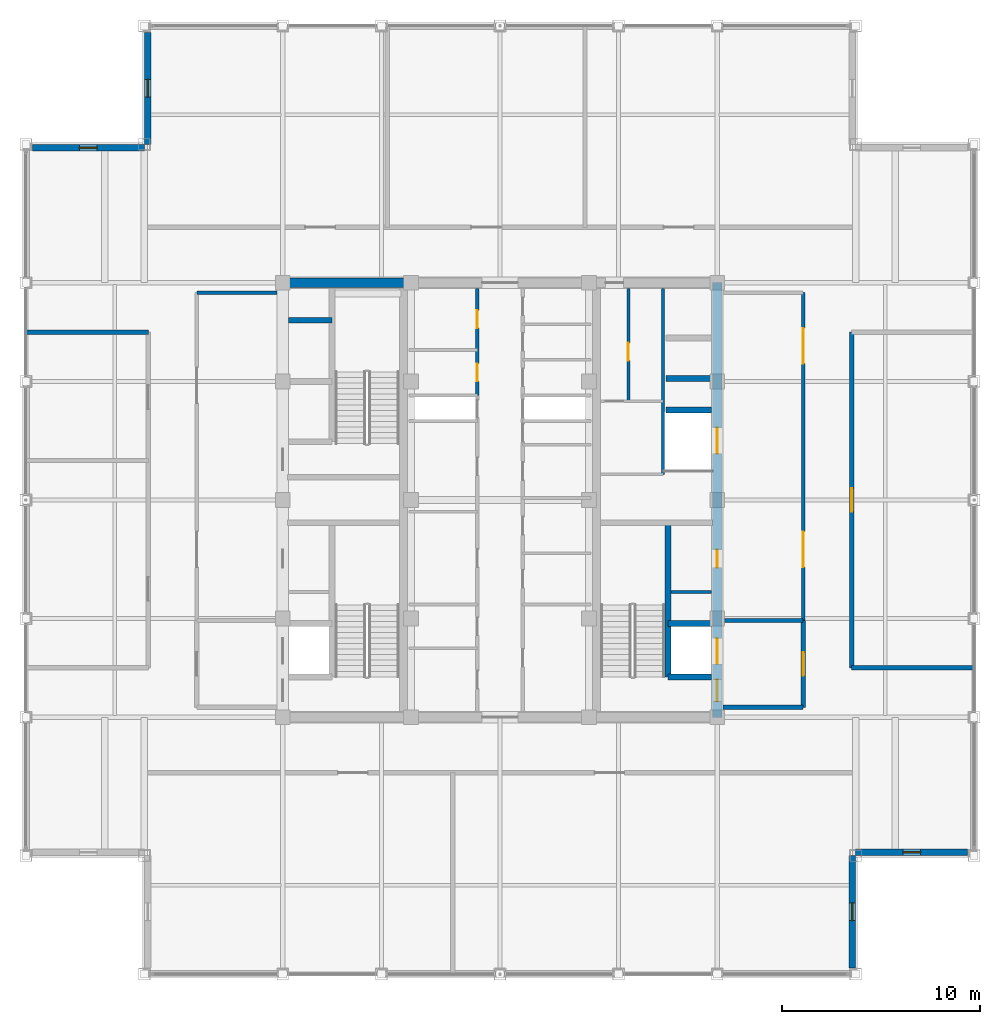
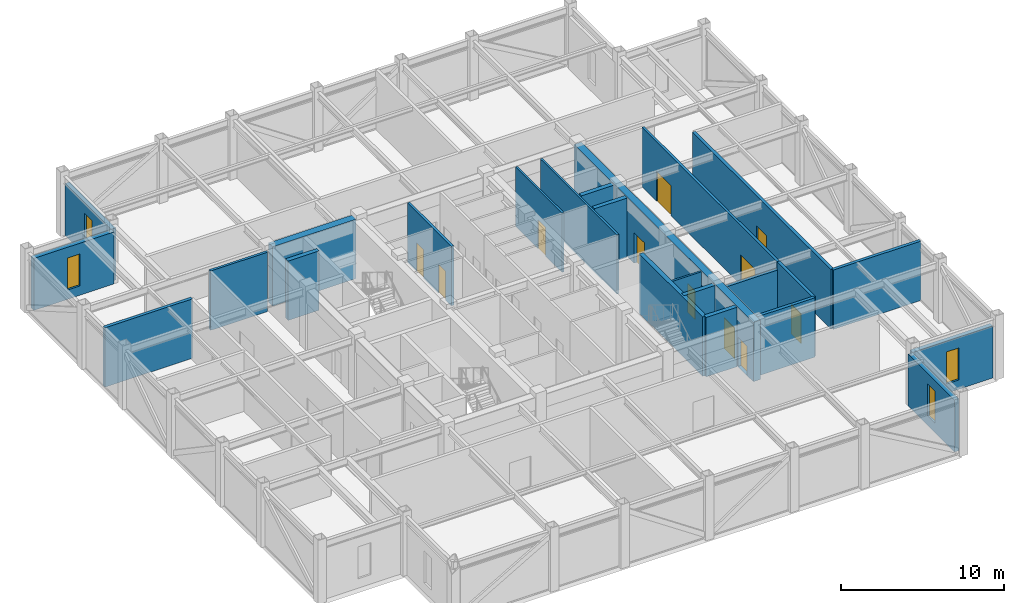
# One storey, part 25 of 27: 24 walls, 11 doors, 4 windows, 15 openings.
"""IFC4 building model written with IfcOpenShell, lengths in metres."""

import ifcopenshell
import ifcopenshell.guid

model = None  # the IFC model being written
_history = None  # IfcOwnerHistory: only IFC2X3 demands one
_inside = {}  # id of a spatial element -> (the spatial element, [elements in it])
_under = {}  # id of a project, library or spatial element -> (it, [spatial elements below it])
_declared = {}  # id of a project -> (the project, [libraries it declares])
_typed = {}  # id of a type object -> (the type object, [elements of that type])
_made_of = {}  # id of a material, layer set ... -> (it, [elements and type objects made of it])


def new_model(schema):
    """Start an empty IFC model of exactly this schema.

    Asked for "IFC4X3", IfcOpenShell would pick the latest addendum, in which some entities
    have other attributes; the version numbers below select the first issue.
    IFC2X3 requires an IfcOwnerHistory on every rooted entity: one is made here for all.
    """
    global model, _history
    if schema == "IFC4X3":
        model = ifcopenshell.file(schema_version=(4, 3, 0, 0))
    else:
        model = ifcopenshell.file(schema=schema)
    _inside.clear()
    _under.clear()
    _declared.clear()
    _typed.clear()
    _made_of.clear()
    _history = None
    if model.schema == "IFC2X3":
        org = make("IfcOrganization", Name="unknown")
        user = make(
            "IfcPersonAndOrganization",
            ThePerson=make("IfcPerson", FamilyName="unknown"),
            TheOrganization=org,
        )
        app = make(
            "IfcApplication",
            ApplicationDeveloper=org,
            Version="unknown",
            ApplicationFullName="unknown",
            ApplicationIdentifier="unknown",
        )
        _history = make(
            "IfcOwnerHistory",
            OwningUser=user,
            OwningApplication=app,
            ChangeAction="ADDED",
            CreationDate=0,
        )
    return model


def make(cls, **values):
    """One entity of the class cls with the attributes given. An attribute that is None is left unset."""
    return model.create_entity(
        cls, **{name: value for name, value in values.items() if value is not None}
    )


def rooted(cls, **values):
    """An entity with a GlobalId (a new one), such as an element, a storey or a relation."""
    return make(cls, GlobalId=ifcopenshell.guid.new(), OwnerHistory=_history, **values)


def si_unit(unit_type, name, prefix=None):
    """IfcSIUnit, for example si_unit("LENGTHUNIT", "METRE", prefix="MILLI")."""
    return make("IfcSIUnit", UnitType=unit_type, Prefix=prefix, Name=name)


def assignment(units):
    """IfcUnitAssignment: the units of a project."""
    return None if units is None else make("IfcUnitAssignment", Units=units)


def point(xyz):
    """IfcCartesianPoint."""
    return None if xyz is None else make("IfcCartesianPoint", Coordinates=xyz)


def direction(xyz):
    """IfcDirection."""
    return None if xyz is None else make("IfcDirection", DirectionRatios=xyz)


def frame(location, z_axis=None, x_axis=None):
    """IfcAxis2Placement3D, a coordinate frame: its origin and axes. An axis left out is left unset."""
    return make(
        "IfcAxis2Placement3D",
        Location=point(location),
        Axis=direction(z_axis),
        RefDirection=direction(x_axis),
    )


def frame_2d(location, x_axis=None):
    """IfcAxis2Placement2D, a coordinate frame in the plane: its origin and x axis."""
    return make(
        "IfcAxis2Placement2D", Location=point(location), RefDirection=direction(x_axis)
    )


def origin():
    """The frame at (0, 0, 0) with its axes left unset."""
    return frame((0.0, 0.0, 0.0))


def place(relative_to, where):
    """IfcLocalPlacement: puts the frame where relative to a parent placement (None: the world)."""
    return make(
        "IfcLocalPlacement", PlacementRelTo=relative_to, RelativePlacement=where
    )


def context(
    kind, dimensions, precision=None, world=None, true_north=None, identifier=None
):
    """IfcGeometricRepresentationContext, for example the 3D "Model" context."""
    return make(
        "IfcGeometricRepresentationContext",
        ContextIdentifier=identifier,
        ContextType=kind,
        CoordinateSpaceDimension=dimensions,
        Precision=precision,
        WorldCoordinateSystem=world,
        TrueNorth=true_north,
    )


def subcontext(parent, identifier, kind, view, scale=None):
    """IfcGeometricRepresentationSubContext, for example "Body" below "Model"."""
    return make(
        "IfcGeometricRepresentationSubContext",
        ContextIdentifier=identifier,
        ContextType=kind,
        ParentContext=parent,
        TargetScale=scale,
        TargetView=view,
    )


def project(units=None, contexts=None):
    """IfcProject with its units and contexts."""
    return rooted(
        "IfcProject",
        Name="project",
        RepresentationContexts=contexts,
        UnitsInContext=assignment(units),
    )


def spatial(cls, under=None, at=None, **own):
    """A site, building, storey or space (cls), placed at a placement, below another one or the project."""
    s = rooted(cls, ObjectPlacement=at, **own)
    if under is not None:
        _under.setdefault(under.id(), (under, []))[1].append(s)
    return s


def profile(cls, at=None, kind="AREA", **sizes):
    """A parametric profile (cls). Its sizes go by their IFC names, for example OverallWidth=200.0."""
    return make(cls, ProfileType=kind, Position=at, **sizes)


def rectangle(**sizes):
    """IfcRectangleProfileDef."""
    return profile("IfcRectangleProfileDef", **sizes)


def extrude(swept, where, along, depth):
    """IfcExtrudedAreaSolid: the profile swept, set in the frame where, extruded along a direction by depth."""
    return make(
        "IfcExtrudedAreaSolid",
        SweptArea=swept,
        Position=where,
        ExtrudedDirection=direction(along),
        Depth=depth,
    )


def shape(context_of_items, identifier, shape_type, items):
    """IfcShapeRepresentation: the items that make up one representation, for example the "Body"."""
    return make(
        "IfcShapeRepresentation",
        ContextOfItems=context_of_items,
        RepresentationIdentifier=identifier,
        RepresentationType=shape_type,
        Items=items,
    )


def source(mapping_origin, context_of_items, identifier, shape_type, items):
    """IfcRepresentationMap: a shape defined once, which mapped items show again and again."""
    return make(
        "IfcRepresentationMap",
        MappingOrigin=mapping_origin,
        MappedRepresentation=shape(context_of_items, identifier, shape_type, items),
    )


def transform(
    local_origin,
    x_axis=None,
    y_axis=None,
    z_axis=None,
    scale=None,
    scale2=None,
    scale3=None,
    uniform=True,
):
    """IfcCartesianTransformationOperator3D, or its non-uniform kind. x_axis, y_axis, z_axis: its Axis1, 2, 3."""
    if uniform:
        return make(
            "IfcCartesianTransformationOperator3D",
            Axis1=direction(x_axis),
            Axis2=direction(y_axis),
            LocalOrigin=point(local_origin),
            Scale=scale,
            Axis3=direction(z_axis),
        )
    return make(
        "IfcCartesianTransformationOperator3DnonUniform",
        Axis1=direction(x_axis),
        Axis2=direction(y_axis),
        LocalOrigin=point(local_origin),
        Scale=scale,
        Axis3=direction(z_axis),
        Scale2=scale2,
        Scale3=scale3,
    )


def mapped(mapping_source, mapping_target):
    """IfcMappedItem: shows the shape of a source again, moved by a transform."""
    return make(
        "IfcMappedItem", MappingSource=mapping_source, MappingTarget=mapping_target
    )


def material(Name=None, Category=None):
    """IfcMaterial."""
    return make("IfcMaterial", Name=Name, Category=Category)


def layer(
    of_material, thickness, ventilated=None, Name=None, Category=None, Priority=None
):
    """IfcMaterialLayer: one layer of a wall or slab, of a material (None: an air gap)."""
    return make(
        "IfcMaterialLayer",
        Material=of_material,
        LayerThickness=thickness,
        IsVentilated=ventilated,
        Name=Name,
        Category=Category,
        Priority=Priority,
    )


def layer_set(layers, Name=None):
    """IfcMaterialLayerSet."""
    return make("IfcMaterialLayerSet", MaterialLayers=layers, LayerSetName=Name)


def made_of(thing, what):
    """Note that an element or type object is made of a material, layer set ...; save() writes the relation."""
    if what is not None:
        _made_of.setdefault(what.id(), (what, []))[1].append(thing)
    return thing


def type_object(cls, material=None, **own):
    """A type object (cls), such as IfcWallType, which elements share."""
    return made_of(rooted(cls, **own), material)


def element(
    cls,
    number,
    at=None,
    inside=None,
    cuts=None,
    type_object=None,
    material=None,
    context=None,
    identifier="Body",
    shape_type=None,
    held_by="IfcProductDefinitionShape",
    body=None,
    shapes=None,
    **own,
):
    """One element of the class cls, such as IfcWall. Its Tag is "e" and its number.

    at: its placement. inside: the storey or other place that contains it. cuts: it is an
    opening in that element (IfcRelVoidsElement). A single representation is given by context,
    identifier, shape_type and body (its items); several are given by shapes. held_by: the class
    of the entity that holds the representations. save() writes the other relations.
    """
    e = rooted(cls, Tag="e%d" % number, ObjectPlacement=at, **own)
    if body is not None:
        shapes = [shape(context, identifier, shape_type, body)]
    if shapes is not None:
        e.Representation = make(held_by, Representations=shapes)
    if inside is not None:
        _inside.setdefault(inside.id(), (inside, []))[1].append(e)
    if cuts is not None:
        rooted(
            "IfcRelVoidsElement", RelatingBuildingElement=cuts, RelatedOpeningElement=e
        )
    if type_object is not None:
        _typed.setdefault(type_object.id(), (type_object, []))[1].append(e)
    return made_of(e, material)


def fill(opening, filler):
    """IfcRelFillsElement: the door or window that sits in an opening."""
    return rooted(
        "IfcRelFillsElement",
        RelatingOpeningElement=opening,
        RelatedBuildingElement=filler,
    )


def aggregate(whole, parts):
    """IfcRelAggregates: a whole, such as a stair, and the parts it consists of."""
    return rooted("IfcRelAggregates", RelatingObject=whole, RelatedObjects=parts)


def save(model, path):
    """Write the relations noted so far, then the file.

    IfcRelAggregates (storeys below a building ...), IfcRelContainedInSpatialStructure (elements
    in a storey), IfcRelDefinesByType, IfcRelAssociatesMaterial and IfcRelDeclares: one each for
    every whole, place, type object, material and project.
    """
    for whole, parts in _under.values():
        aggregate(whole, parts)
    for where, things in _inside.values():
        rooted(
            "IfcRelContainedInSpatialStructure",
            RelatedElements=things,
            RelatingStructure=where,
        )
    for kind, things in _typed.values():
        rooted("IfcRelDefinesByType", RelatedObjects=things, RelatingType=kind)
    for what, things in _made_of.values():
        rooted("IfcRelAssociatesMaterial", RelatedObjects=things, RelatingMaterial=what)
    for by, libraries in _declared.values():
        rooted("IfcRelDeclares", RelatingContext=by, RelatedDefinitions=libraries)
    model.write(path)


model = new_model("IFC4")

# Units and contexts
model_context = context("Model", 3, precision=1e-05, world=origin(), true_north=direction((0.0, 1.0)))
body_context = subcontext(model_context, "Body", "Model", "MODEL_VIEW")
ifc_project = project(units=[si_unit("LENGTHUNIT", "METRE"), si_unit("AREAUNIT", "SQUARE_METRE"), si_unit("VOLUMEUNIT", "CUBIC_METRE"), si_unit("PLANEANGLEUNIT", "RADIAN"), si_unit("MASSUNIT", "GRAM", prefix="KILO")], contexts=[model_context])

# Site, building, storey
site_placement = place(None, origin())
site = spatial("IfcSite", under=ifc_project, at=site_placement, CompositionType="ELEMENT")
building_placement = place(site_placement, origin())
building = spatial("IfcBuilding", under=site, at=building_placement, Name="Khorayat Bourse Tower", CompositionType="ELEMENT")
storey_placement = place(building_placement, frame((0.0, 0.0, 385.10009765625)))
storey = spatial("IfcBuildingStorey", under=building, at=storey_placement, Name="L91", CompositionType="ELEMENT", Elevation=385.10009765625)

# Wall, openings, doors
ifc_material_1 = material(Name="Concrete C52/65", Category="concrete")
ifc_layer_1 = layer(ifc_material_1, 0.5)
ifc_layer_set_1 = layer_set([ifc_layer_1], Name="Concrete C52/65")
wall_type_1 = type_object("IfcWallType", Name="WAL-CORE-500", PredefinedType="SHEAR", material=ifc_layer_set_1)
shared_shape_1 = source(origin(), body_context, "Body", "SweptSolid", [
    extrude(rectangle(XDim=22.0, YDim=0.5, at=frame_2d((11.0, 0.0))), origin(), (0.0, 0.0, 1.0), 4.449951171875),
])
wall_1_placement = place(storey_placement, frame((11.0, -11.0, 0.0), z_axis=(0.0, 0.0, 1.0), x_axis=(0.0, 1.0, 0.0)))
wall_1 = element("IfcWall", 1, at=wall_1_placement, inside=storey, type_object=wall_type_1, Name="L91 Core Shear Wall CORE-E", PredefinedType="SHEAR", context=body_context, shape_type="MappedRepresentation", body=[
    mapped(shared_shape_1, transform((0.0, 0.0, 0.0), scale=1.0)),
])
shared_shape_2 = source(origin(), body_context, "Body", "SweptSolid", [
    extrude(rectangle(XDim=1.10009765625, YDim=2.199951171875, at=frame_2d((0.550048828125, 1.10009765625))), frame((0.0, 0.260009765625, 0.0), z_axis=(0.0, -1.0, 0.0), x_axis=(1.0, 0.0, 0.0)), (0.0, 0.0, 1.0), 0.52001953125),
])
opening_1_placement = place(wall_1_placement, frame((0.800048828125, 0.0, 0.0)))
opening_1 = element("IfcOpeningElement", 2, at=opening_1_placement, cuts=wall_1, Name="Opening DI-01", PredefinedType="OPENING", context=body_context, shape_type="MappedRepresentation", body=[
    mapped(shared_shape_2, transform((0.0, 0.0, 0.0), scale=1.0)),
])
shared_shape_3 = source(origin(), body_context, "Body", "SweptSolid", [
    extrude(rectangle(XDim=0.89990234375, YDim=2.14990234375, at=frame_2d((0.449951171875, 1.074951171875))), frame((0.0, 0.260009765625, 0.0), z_axis=(0.0, -1.0, 0.0), x_axis=(1.0, 0.0, 0.0)), (0.0, 0.0, 1.0), 0.52001953125),
])
opening_2_placement = place(wall_1_placement, frame((7.574951171875, 0.0, 0.0)))
opening_2 = element("IfcOpeningElement", 3, at=opening_2_placement, cuts=wall_1, Name="Opening DI-06", PredefinedType="OPENING", context=body_context, shape_type="MappedRepresentation", body=[
    mapped(shared_shape_3, transform((0.0, 0.0, 0.0), scale=1.0)),
])
shared_shape_4 = source(origin(), body_context, "Body", "SweptSolid", [
    extrude(rectangle(XDim=1.300048828125, YDim=2.300048828125, at=frame_2d((0.64990234375, 1.14990234375))), frame((0.0, 0.260009765625, 0.0), z_axis=(0.0, -1.0, 0.0), x_axis=(1.0, 0.0, 0.0)), (0.0, 0.0, 1.0), 0.52001953125),
])
opening_3_placement = place(wall_1_placement, frame((2.699951171875, 0.0, 0.0)))
opening_3 = element("IfcOpeningElement", 4, at=opening_3_placement, cuts=wall_1, Name="Opening LD-02", PredefinedType="OPENING", context=body_context, shape_type="MappedRepresentation", body=[
    mapped(shared_shape_4, transform((0.0, 0.0, 0.0), scale=1.0)),
])
opening_4_placement = place(wall_1_placement, frame((13.35009765625, 0.0, 0.0)))
opening_4 = element("IfcOpeningElement", 5, at=opening_4_placement, cuts=wall_1, Name="Opening LD-02", PredefinedType="OPENING", context=body_context, shape_type="MappedRepresentation", body=[
    mapped(shared_shape_4, transform((0.0, 0.0, 0.0), scale=1.0)),
])
ifc_material_2 = material(Name="Fire-rated steel acoustic leaf", Category="steel")
door_type_1 = type_object("IfcDoorType", Name="DR-INT-STAIR-1100", OperationType="NOTDEFINED", PredefinedType="DOOR", material=ifc_material_2)
shared_shape_5 = source(origin(), body_context, "Body", "SweptSolid", [
    extrude(rectangle(XDim=1.10009765625, YDim=2.199951171875, at=frame_2d((0.550048828125, 1.10009765625))), frame((0.0, 0.02490234375, 0.0), z_axis=(0.0, -1.0, 0.0), x_axis=(1.0, 0.0, 0.0)), (0.0, 0.0, 1.0), 0.050048828125),
])
door_1_placement = place(opening_1_placement, origin())
door_1 = element("IfcDoor", 6, at=door_1_placement, inside=storey, type_object=door_type_1, Name="L91 Exit Stair 3 Door", OperationType="SINGLE_SWING_LEFT", OverallHeight=2.199951171875, OverallWidth=1.10009765625, PredefinedType="DOOR", context=body_context, shape_type="MappedRepresentation", body=[
    mapped(shared_shape_5, transform((0.0, 0.0, 0.0), scale=1.0)),
])
fill(opening_1, door_1)
ifc_material_3 = material(Name="Moisture-resistant laminate washroom door")
door_type_2 = type_object("IfcDoorType", Name="DR-INT-WC-900", OperationType="NOTDEFINED", PredefinedType="DOOR", material=ifc_material_3)
shared_shape_6 = source(origin(), body_context, "Body", "SweptSolid", [
    extrude(rectangle(XDim=0.89990234375, YDim=2.14990234375, at=frame_2d((0.449951171875, 1.074951171875))), frame((0.0, 0.02490234375, 0.0), z_axis=(0.0, -1.0, 0.0), x_axis=(1.0, 0.0, 0.0)), (0.0, 0.0, 1.0), 0.050048828125),
])
door_2_placement = place(opening_2_placement, origin())
door_2 = element("IfcDoor", 7, at=door_2_placement, inside=storey, type_object=door_type_2, Name="L91 Fiber Server Plant Room Door", OperationType="SINGLE_SWING_LEFT", OverallHeight=2.14990234375, OverallWidth=0.89990234375, PredefinedType="DOOR", context=body_context, shape_type="MappedRepresentation", body=[
    mapped(shared_shape_6, transform((0.0, 0.0, 0.0), scale=1.0)),
])
fill(opening_2, door_2)
ifc_material_4 = material(Name="Fire-rated stainless-steel sliding landing door", Category="steel")
door_type_3 = type_object("IfcDoorType", Name="DR-LIFT-FF-1300", OperationType="NOTDEFINED", PredefinedType="DOOR", material=ifc_material_4)
shared_shape_7 = source(origin(), body_context, "Body", "SweptSolid", [
    extrude(rectangle(XDim=1.300048828125, YDim=2.300048828125, at=frame_2d((0.64990234375, 1.14990234375))), frame((0.0, 0.02490234375, 0.0), z_axis=(0.0, -1.0, 0.0), x_axis=(1.0, 0.0, 0.0)), (0.0, 0.0, 1.0), 0.050048828125),
])
door_3_placement = place(opening_3_placement, origin())
door_3 = element("IfcDoor", 8, at=door_3_placement, inside=storey, type_object=door_type_3, Name="L91 Lift FFL-02 Sliding Landing Door", OperationType="SLIDING_TO_LEFT", OverallHeight=2.300048828125, OverallWidth=1.300048828125, PredefinedType="DOOR", context=body_context, shape_type="MappedRepresentation", body=[
    mapped(shared_shape_7, transform((0.0, 0.0, 0.0), scale=1.0)),
])
fill(opening_3, door_3)
door_4_placement = place(opening_4_placement, origin())
door_4 = element("IfcDoor", 9, at=door_4_placement, inside=storey, type_object=door_type_3, Name="L91 Lift SVL-01 Sliding Landing Door", OperationType="SLIDING_TO_LEFT", OverallHeight=2.300048828125, OverallWidth=1.300048828125, PredefinedType="DOOR", context=body_context, shape_type="MappedRepresentation", body=[
    mapped(shared_shape_7, transform((0.0, 0.0, 0.0), scale=1.0)),
])
fill(opening_4, door_4)

# Wall
shared_shape_8 = source(origin(), body_context, "Body", "SweptSolid", [
    extrude(rectangle(XDim=5.89990234375, YDim=0.5, at=frame_2d((2.949951171875, 0.0))), origin(), (0.0, 0.0, 1.0), 4.449951171875),
])
wall_2_placement = place(storey_placement, frame((-10.75, 11.0, 0.0), z_axis=(0.0, 0.0, 1.0), x_axis=(1.0, 0.0, 0.0)))
element("IfcWall", 10, at=wall_2_placement, inside=storey, type_object=wall_type_1, Name="L91 Core Shear Wall PIER-WN", PredefinedType="SHEAR", context=body_context, shape_type="MappedRepresentation", body=[
    mapped(shared_shape_8, transform((0.0, 0.0, 0.0), scale=1.0)),
])

# Wall, opening, window
ifc_material_5 = material(Name="Precast concrete C45/55", Category="concrete")
ifc_layer_2 = layer(ifc_material_5, 0.320068359375)
ifc_layer_set_2 = layer_set([ifc_layer_2], Name="Precast concrete C45/55")
wall_type_2 = type_object("IfcWallType", Name="WAL-EXT-STONE-320", PredefinedType="STANDARD", material=ifc_layer_set_2)
shared_shape_9 = source(origin(), body_context, "Body", "SweptSolid", [
    extrude(rectangle(XDim=5.679931640625, YDim=0.320068359375, at=frame_2d((2.83984375, 0.0))), origin(), (0.0, 0.0, 1.0), 3.90087890625),
])
wall_3_placement = place(storey_placement, frame((17.840087890625, -23.679931640625, 0.0), z_axis=(0.0, 0.0, 1.0), x_axis=(0.0, 1.0, 0.0)))
wall_3 = element("IfcWall", 11, at=wall_3_placement, inside=storey, type_object=wall_type_2, Name="L91 Re-Entrant Notch Limestone Wall SE-V", PredefinedType="STANDARD", context=body_context, shape_type="MappedRepresentation", body=[
    mapped(shared_shape_9, transform((0.0, 0.0, 0.0), scale=1.0)),
])
shared_shape_10 = source(origin(), body_context, "Body", "SweptSolid", [
    extrude(rectangle(XDim=0.89990234375, YDim=2.39990234375, at=frame_2d((0.449951171875, 1.199951171875))), frame((0.0, 0.169921875, 0.0), z_axis=(0.0, -1.0, 0.0), x_axis=(1.0, 0.0, 0.0)), (0.0, 0.0, 1.0), 0.340087890625),
])
opening_5_placement = place(wall_3_placement, frame((2.389892578125, 0.0, 0.699951171875)))
opening_5 = element("IfcOpeningElement", 12, at=opening_5_placement, cuts=wall_3, Name="Opening WN-03", PredefinedType="OPENING", context=body_context, shape_type="MappedRepresentation", body=[
    mapped(shared_shape_10, transform((0.0, 0.0, 0.0), scale=1.0)),
])
ifc_material_6 = material(Name="Deep-reveal solar-control double glazing", Category="glass")
window_type = type_object("IfcWindowType", Name="WIN-SLOT-900x2400", PartitioningType="SINGLE_PANEL", PredefinedType="WINDOW", material=ifc_material_6)
shared_shape_11 = source(origin(), body_context, "Body", "SweptSolid", [
    extrude(rectangle(XDim=0.89990234375, YDim=2.39990234375, at=frame_2d((0.449951171875, 1.199951171875))), frame((0.0, 0.030029296875, 0.0), z_axis=(0.0, -1.0, 0.0), x_axis=(1.0, 0.0, 0.0)), (0.0, 0.0, 1.0), 0.06005859375),
])
window_1_placement = place(opening_5_placement, origin())
window_1 = element("IfcWindow", 13, at=window_1_placement, inside=storey, type_object=window_type, Name="L91 Facade Window 1", OverallHeight=2.39990234375, OverallWidth=0.89990234375, PartitioningType="SINGLE_PANEL", PredefinedType="WINDOW", context=body_context, shape_type="MappedRepresentation", body=[
    mapped(shared_shape_11, transform((0.0, 0.0, 0.0), scale=1.0)),
])
fill(opening_5, window_1)

wall_4_placement = place(storey_placement, frame((18.0, -17.840087890625, 0.0), z_axis=(0.0, 0.0, 1.0), x_axis=(1.0, 0.0, 0.0)))
wall_4 = element("IfcWall", 14, at=wall_4_placement, inside=storey, type_object=wall_type_2, Name="L91 Re-Entrant Notch Limestone Wall SE-H", PredefinedType="STANDARD", context=body_context, shape_type="MappedRepresentation", body=[
    mapped(shared_shape_9, transform((0.0, 0.0, 0.0), scale=1.0)),
])
opening_6_placement = place(wall_4_placement, frame((2.389892578125, 0.0, 0.699951171875)))
opening_6 = element("IfcOpeningElement", 15, at=opening_6_placement, cuts=wall_4, Name="Opening WN-03", PredefinedType="OPENING", context=body_context, shape_type="MappedRepresentation", body=[
    mapped(shared_shape_10, transform((0.0, 0.0, 0.0), scale=1.0)),
])
window_2_placement = place(opening_6_placement, origin())
window_2 = element("IfcWindow", 16, at=window_2_placement, inside=storey, type_object=window_type, Name="L91 Facade Window 1", OverallHeight=2.39990234375, OverallWidth=0.89990234375, PartitioningType="SINGLE_PANEL", PredefinedType="WINDOW", context=body_context, shape_type="MappedRepresentation", body=[
    mapped(shared_shape_11, transform((0.0, 0.0, 0.0), scale=1.0)),
])
fill(opening_6, window_2)

wall_5_placement = place(storey_placement, frame((-17.840087890625, 18.0, 0.0), z_axis=(0.0, 0.0, 1.0), x_axis=(0.0, 1.0, 0.0)))
wall_5 = element("IfcWall", 17, at=wall_5_placement, inside=storey, type_object=wall_type_2, Name="L91 Re-Entrant Notch Limestone Wall NW-V", PredefinedType="STANDARD", context=body_context, shape_type="MappedRepresentation", body=[
    mapped(shared_shape_9, transform((0.0, 0.0, 0.0), scale=1.0)),
])
opening_7_placement = place(wall_5_placement, frame((2.389892578125, 0.0, 0.699951171875)))
opening_7 = element("IfcOpeningElement", 18, at=opening_7_placement, cuts=wall_5, Name="Opening WN-03", PredefinedType="OPENING", context=body_context, shape_type="MappedRepresentation", body=[
    mapped(shared_shape_10, transform((0.0, 0.0, 0.0), scale=1.0)),
])
window_3_placement = place(opening_7_placement, origin())
window_3 = element("IfcWindow", 19, at=window_3_placement, inside=storey, type_object=window_type, Name="L91 Facade Window 1", OverallHeight=2.39990234375, OverallWidth=0.89990234375, PartitioningType="SINGLE_PANEL", PredefinedType="WINDOW", context=body_context, shape_type="MappedRepresentation", body=[
    mapped(shared_shape_11, transform((0.0, 0.0, 0.0), scale=1.0)),
])
fill(opening_7, window_3)

wall_6_placement = place(storey_placement, frame((-18.0, 17.840087890625, 0.0), z_axis=(0.0, 0.0, 1.0), x_axis=(-1.0, 0.0, 0.0)))
wall_6 = element("IfcWall", 20, at=wall_6_placement, inside=storey, type_object=wall_type_2, Name="L91 Re-Entrant Notch Limestone Wall NW-H", PredefinedType="STANDARD", context=body_context, shape_type="MappedRepresentation", body=[
    mapped(shared_shape_9, transform((0.0, 0.0, 0.0), scale=1.0)),
])
opening_8_placement = place(wall_6_placement, frame((2.389892578125, 0.0, 0.699951171875)))
opening_8 = element("IfcOpeningElement", 21, at=opening_8_placement, cuts=wall_6, Name="Opening WN-03", PredefinedType="OPENING", context=body_context, shape_type="MappedRepresentation", body=[
    mapped(shared_shape_10, transform((0.0, 0.0, 0.0), scale=1.0)),
])
window_4_placement = place(opening_8_placement, origin())
window_4 = element("IfcWindow", 22, at=window_4_placement, inside=storey, type_object=window_type, Name="L91 Facade Window 1", OverallHeight=2.39990234375, OverallWidth=0.89990234375, PartitioningType="SINGLE_PANEL", PredefinedType="WINDOW", context=body_context, shape_type="MappedRepresentation", body=[
    mapped(shared_shape_11, transform((0.0, 0.0, 0.0), scale=1.0)),
])
fill(opening_8, window_4)

# Walls
ifc_material_7 = material(Name="Concrete C50/60", Category="concrete")
ifc_layer_3 = layer(ifc_material_7, 0.300048828125)
ifc_layer_set_3 = layer_set([ifc_layer_3], Name="Concrete C50/60")
wall_type_3 = type_object("IfcWallType", Name="WAL-SHAFT-300", PredefinedType="SHEAR", material=ifc_layer_set_3)
shared_shape_12 = source(origin(), body_context, "Body", "SweptSolid", [
    extrude(rectangle(XDim=7.800048828125, YDim=0.300048828125, at=frame_2d((3.89990234375, 0.0))), origin(), (0.0, 0.0, 1.0), 4.449951171875),
])
wall_7_placement = place(storey_placement, frame((8.5, -8.949951171875, 0.0), z_axis=(0.0, 0.0, 1.0), x_axis=(0.0, 1.0, 0.0)))
element("IfcWall", 23, at=wall_7_placement, inside=storey, type_object=wall_type_3, Name="L91 Partition WAL-L91-EPIER-SP", PredefinedType="SHEAR", context=body_context, shape_type="MappedRepresentation", body=[
    mapped(shared_shape_12, transform((0.0, 0.0, 0.0), scale=1.0)),
])
shared_shape_13 = source(origin(), body_context, "Body", "SweptSolid", [
    extrude(rectangle(XDim=2.199951171875, YDim=0.300048828125, at=frame_2d((1.10009765625, 0.0))), origin(), (0.0, 0.0, 1.0), 4.449951171875),
])
for number, where, z_axis, x_axis, name in (
    (24, (-10.699951171875, 9.10009765625, 0.0), (0.0, 0.0, 1.0), (1.0, 0.0, 0.0), "L91 Partition WAL-L91-WPIER-H2N"),
    (25, (8.5, -8.949951171875, 0.0), (0.0, 0.0, 1.0), (1.0, 0.0, 0.0), "L91 Partition WAL-L91-EPIER-FF2S"),
    (26, (8.5, -6.25, 0.0), (0.0, 0.0, 1.0), (1.0, 0.0, 0.0), "L91 Partition WAL-L91-EPIER-FF2N"),
):
    element("IfcWall", number, at=place(storey_placement, frame(where, z_axis=z_axis, x_axis=x_axis)), inside=storey, type_object=wall_type_3, Name=name, PredefinedType="SHEAR", context=body_context, shape_type="MappedRepresentation", body=[
        mapped(shared_shape_13, transform((0.0, 0.0, 0.0), scale=1.0)),
    ])
shared_shape_14 = source(origin(), body_context, "Body", "SweptSolid", [
    extrude(rectangle(XDim=2.300048828125, YDim=0.300048828125, at=frame_2d((1.14990234375, 0.0))), origin(), (0.0, 0.0, 1.0), 4.449951171875),
])
for number, where, z_axis, x_axis, name in (
    (27, (8.39990234375, 4.550048828125, 0.0), (0.0, 0.0, 1.0), (1.0, 0.0, 0.0), "L91 Partition WAL-L91-EPIER-SVLN"),
    (28, (8.39990234375, 6.14990234375, 0.0), (0.0, 0.0, 1.0), (1.0, 0.0, 0.0), "L91 Partition WAL-L91-EPIER-H3S"),
):
    element("IfcWall", number, at=place(storey_placement, frame(where, z_axis=z_axis, x_axis=x_axis)), inside=storey, type_object=wall_type_3, Name=name, PredefinedType="SHEAR", context=body_context, shape_type="MappedRepresentation", body=[
        mapped(shared_shape_14, transform((0.0, 0.0, 0.0), scale=1.0)),
    ])
ifc_material_8 = material(Name="Gypsum plasterboard twin-frame partition")
ifc_layer_4 = layer(ifc_material_8, 0.14990234375)
ifc_layer_set_4 = layer_set([ifc_layer_4], Name="Gypsum plasterboard twin-frame partition")
wall_type_4 = type_object("IfcWallType", Name="WAL-PART-SUITE-150", PredefinedType="PARTITIONING", material=ifc_layer_set_4)
shared_shape_15 = source(origin(), body_context, "Body", "SweptSolid", [
    extrude(rectangle(XDim=2.050048828125, YDim=0.14990234375, at=frame_2d((1.02490234375, 0.0))), origin(), (0.0, 0.0, 1.0), 4.449951171875),
])
wall_8_placement = place(storey_placement, frame((8.64990234375, -4.64990234375, 0.0), z_axis=(0.0, 0.0, 1.0), x_axis=(1.0, 0.0, 0.0)))
element("IfcWall", 29, at=wall_8_placement, inside=storey, type_object=wall_type_4, Name="L91 Partition WAL-L91-ESRV-S0", PredefinedType="PARTITIONING", context=body_context, shape_type="MappedRepresentation", body=[
    mapped(shared_shape_15, transform((0.0, 0.0, 0.0), scale=1.0)),
])
ifc_material_9 = material(Name="Moisture-resistant masonry partition", Category="masonry")
ifc_layer_5 = layer(ifc_material_9, 0.139892578125)
ifc_layer_set_5 = layer_set([ifc_layer_5], Name="Moisture-resistant masonry partition")
wall_type_5 = type_object("IfcWallType", Name="WAL-PART-WET-140", PredefinedType="PARTITIONING", material=ifc_layer_set_5)
shared_shape_16 = source(origin(), body_context, "Body", "SweptSolid", [
    extrude(rectangle(XDim=9.39990234375, YDim=0.139892578125, at=frame_2d((4.699951171875, 0.0))), origin(), (0.0, 0.0, 1.0), 4.449951171875),
])
wall_9_placement = place(storey_placement, frame((8.25, 1.300048828125, 0.0), z_axis=(0.0, 0.0, 1.0), x_axis=(0.0, 1.0, 0.0)))
element("IfcWall", 30, at=wall_9_placement, inside=storey, type_object=wall_type_5, Name="L91 Partition WAL-L91-ECORE-E", PredefinedType="PARTITIONING", context=body_context, shape_type="MappedRepresentation", body=[
    mapped(shared_shape_16, transform((0.0, 0.0, 0.0), scale=1.0)),
])

# Wall, opening, door
shared_shape_17 = source(origin(), body_context, "Body", "SweptSolid", [
    extrude(rectangle(XDim=5.699951171875, YDim=0.139892578125, at=frame_2d((2.85009765625, 0.0))), origin(), (0.0, 0.0, 1.0), 4.449951171875),
])
wall_10_placement = place(storey_placement, frame((6.5, 5.0, 0.0), z_axis=(0.0, 0.0, 1.0), x_axis=(0.0, 1.0, 0.0)))
wall_10 = element("IfcWall", 31, at=wall_10_placement, inside=storey, type_object=wall_type_5, Name="L91 Partition WAL-L91-ECW-MID", PredefinedType="PARTITIONING", context=body_context, shape_type="MappedRepresentation", body=[
    mapped(shared_shape_17, transform((0.0, 0.0, 0.0), scale=1.0)),
])
shared_shape_18 = source(origin(), body_context, "Body", "SweptSolid", [
    extrude(rectangle(XDim=0.89990234375, YDim=2.14990234375, at=frame_2d((0.449951171875, 1.074951171875))), frame((0.0, 0.079833984375, 0.0), z_axis=(0.0, -1.0, 0.0), x_axis=(1.0, 0.0, 0.0)), (0.0, 0.0, 1.0), 0.159912109375),
])
opening_9_placement = place(wall_10_placement, frame((2.050048828125, 0.0, 0.0)))
opening_9 = element("IfcOpeningElement", 32, at=opening_9_placement, cuts=wall_10, Name="Opening DI-06", PredefinedType="OPENING", context=body_context, shape_type="MappedRepresentation", body=[
    mapped(shared_shape_18, transform((0.0, 0.0, 0.0), scale=1.0)),
])
door_5_placement = place(opening_9_placement, origin())
door_5 = element("IfcDoor", 33, at=door_5_placement, inside=storey, type_object=door_type_2, Name="L91 Accessible WC Door", OperationType="SINGLE_SWING_RIGHT", OverallHeight=2.14990234375, OverallWidth=0.89990234375, PredefinedType="DOOR", context=body_context, shape_type="MappedRepresentation", body=[
    mapped(shared_shape_6, transform((0.0, 0.0, 0.0), scale=1.0)),
])
fill(opening_9, door_5)

# Walls
ifc_material_10 = material(Name="Aerated concrete blockwork", Category="masonry")
ifc_layer_6 = layer(ifc_material_10, 0.219970703125)
ifc_layer_set_6 = layer_set([ifc_layer_6], Name="Aerated concrete blockwork")
wall_type_6 = type_object("IfcWallType", Name="WAL-PART-FF-220", PredefinedType="PARTITIONING", material=ifc_layer_set_6)
shared_shape_19 = source(origin(), body_context, "Body", "SweptSolid", [
    extrude(rectangle(XDim=4.050048828125, YDim=0.219970703125, at=frame_2d((2.02490234375, 0.0))), origin(), (0.0, 0.0, 1.0), 4.449951171875),
])
wall_11_placement = place(storey_placement, frame((11.300048828125, -10.5, 0.0), z_axis=(0.0, 0.0, 1.0), x_axis=(1.0, 0.0, 0.0)))
element("IfcWall", 34, at=wall_11_placement, inside=storey, type_object=wall_type_6, Name="L91 Partition WAL-L91-FFLE-S", PredefinedType="PARTITIONING", context=body_context, shape_type="MappedRepresentation", body=[
    mapped(shared_shape_19, transform((0.0, 0.0, 0.0), scale=1.0)),
])
shared_shape_20 = source(origin(), body_context, "Body", "SweptSolid", [
    extrude(rectangle(XDim=4.050048828125, YDim=0.219970703125, at=frame_2d((2.02490234375, 0.0))), origin(), (0.0, 0.0, 1.0), 3.90087890625),
])
wall_12_placement = place(storey_placement, frame((11.300048828125, -6.10009765625, 0.0), z_axis=(0.0, 0.0, 1.0), x_axis=(1.0, 0.0, 0.0)))
element("IfcWall", 35, at=wall_12_placement, inside=storey, type_object=wall_type_6, Name="L91 Partition WAL-L91-FFLE-N", PredefinedType="PARTITIONING", context=body_context, shape_type="MappedRepresentation", body=[
    mapped(shared_shape_20, transform((0.0, 0.0, 0.0), scale=1.0)),
])

# Wall, opening, door
shared_shape_21 = source(origin(), body_context, "Body", "SweptSolid", [
    extrude(rectangle(XDim=4.39990234375, YDim=0.219970703125, at=frame_2d((2.199951171875, 0.0))), origin(), (0.0, 0.0, 1.0), 4.449951171875),
])
wall_13_placement = place(storey_placement, frame((15.35009765625, -10.5, 0.0), z_axis=(0.0, 0.0, 1.0), x_axis=(0.0, 1.0, 0.0)))
wall_13 = element("IfcWall", 36, at=wall_13_placement, inside=storey, type_object=wall_type_6, Name="L91 Partition WAL-L91-FFLE-E", PredefinedType="PARTITIONING", context=body_context, shape_type="MappedRepresentation", body=[
    mapped(shared_shape_21, transform((0.0, 0.0, 0.0), scale=1.0)),
])
shared_shape_22 = source(origin(), body_context, "Body", "SweptSolid", [
    extrude(rectangle(XDim=1.199951171875, YDim=2.199951171875, at=frame_2d((0.60009765625, 1.10009765625))), frame((0.0, 0.119873046875, 0.0), z_axis=(0.0, -1.0, 0.0), x_axis=(1.0, 0.0, 0.0)), (0.0, 0.0, 1.0), 0.239990234375),
])
opening_10_placement = place(wall_13_placement, frame((1.60009765625, 0.0, 0.0)))
opening_10 = element("IfcOpeningElement", 37, at=opening_10_placement, cuts=wall_13, Name="Opening DI-02", PredefinedType="OPENING", context=body_context, shape_type="MappedRepresentation", body=[
    mapped(shared_shape_22, transform((0.0, 0.0, 0.0), scale=1.0)),
])
ifc_material_11 = material(Name="Fire-rated steel double-seal leaf", Category="steel")
door_type_4 = type_object("IfcDoorType", Name="DR-INT-FFLOBBY-1200", OperationType="NOTDEFINED", PredefinedType="DOOR", material=ifc_material_11)
shared_shape_23 = source(origin(), body_context, "Body", "SweptSolid", [
    extrude(rectangle(XDim=1.199951171875, YDim=2.199951171875, at=frame_2d((0.60009765625, 1.10009765625))), frame((0.0, 0.02490234375, 0.0), z_axis=(0.0, -1.0, 0.0), x_axis=(1.0, 0.0, 0.0)), (0.0, 0.0, 1.0), 0.050048828125),
])
door_6_placement = place(opening_10_placement, origin())
door_6 = element("IfcDoor", 38, at=door_6_placement, inside=storey, type_object=door_type_4, Name="L91 East Firefighting Lobby Door", OperationType="SINGLE_SWING_RIGHT", OverallHeight=2.199951171875, OverallWidth=1.199951171875, PredefinedType="DOOR", context=body_context, shape_type="MappedRepresentation", body=[
    mapped(shared_shape_23, transform((0.0, 0.0, 0.0), scale=1.0)),
])
fill(opening_10, door_6)

# Wall
ifc_material_12 = material(Name="Gypsum plasterboard acoustic stud wall")
ifc_layer_7 = layer(ifc_material_12, 0.179931640625)
ifc_layer_set_7 = layer_set([ifc_layer_7], Name="Gypsum plasterboard acoustic stud wall")
wall_type_7 = type_object("IfcWallType", Name="WAL-PART-CORR-180", PredefinedType="PARTITIONING", material=ifc_layer_set_7)
shared_shape_24 = source(origin(), body_context, "Body", "SweptSolid", [
    extrude(rectangle(XDim=4.050048828125, YDim=0.179931640625, at=frame_2d((2.02490234375, 0.0))), origin(), (0.0, 0.0, 1.0), 4.449951171875),
])
wall_14_placement = place(storey_placement, frame((-15.35009765625, 10.5, 0.0), z_axis=(0.0, 0.0, 1.0), x_axis=(1.0, 0.0, 0.0)))
element("IfcWall", 39, at=wall_14_placement, inside=storey, type_object=wall_type_7, Name="L91 Partition WAL-L91-WLOB-N", PredefinedType="PARTITIONING", context=body_context, shape_type="MappedRepresentation", body=[
    mapped(shared_shape_24, transform((0.0, 0.0, 0.0), scale=1.0)),
])

# Wall, openings, doors
shared_shape_25 = source(origin(), body_context, "Body", "SweptSolid", [
    extrude(rectangle(XDim=16.60009765625, YDim=0.179931640625, at=frame_2d((8.300048828125, 0.0))), origin(), (0.0, 0.0, 1.0), 4.449951171875),
])
wall_15_placement = place(storey_placement, frame((15.35009765625, -6.10009765625, 0.0), z_axis=(0.0, 0.0, 1.0), x_axis=(0.0, 1.0, 0.0)))
wall_15 = element("IfcWall", 40, at=wall_15_placement, inside=storey, type_object=wall_type_7, Name="L91 Partition WAL-L91-ELOB-E", PredefinedType="PARTITIONING", context=body_context, shape_type="MappedRepresentation", body=[
    mapped(shared_shape_25, transform((0.0, 0.0, 0.0), scale=1.0)),
])
shared_shape_26 = source(origin(), body_context, "Body", "SweptSolid", [
    extrude(rectangle(XDim=1.800048828125, YDim=2.25, at=frame_2d((0.89990234375, 1.125))), frame((0.0, 0.099853515625, 0.0), z_axis=(0.0, -1.0, 0.0), x_axis=(1.0, 0.0, 0.0)), (0.0, 0.0, 1.0), 0.199951171875),
])
opening_11_placement = place(wall_15_placement, frame((2.699951171875, 0.0, 0.0)))
opening_11 = element("IfcOpeningElement", 41, at=opening_11_placement, cuts=wall_15, Name="Opening DI-03", PredefinedType="OPENING", context=body_context, shape_type="MappedRepresentation", body=[
    mapped(shared_shape_26, transform((0.0, 0.0, 0.0), scale=1.0)),
])
opening_12_placement = place(wall_15_placement, frame((13.0, 0.0, 0.0)))
opening_12 = element("IfcOpeningElement", 42, at=opening_12_placement, cuts=wall_15, Name="Opening DI-03", PredefinedType="OPENING", context=body_context, shape_type="MappedRepresentation", body=[
    mapped(shared_shape_26, transform((0.0, 0.0, 0.0), scale=1.0)),
])
ifc_material_13 = material(Name="Fire-rated hardwood vision-panel double leaf", Category="wood")
door_type_5 = type_object("IfcDoorType", Name="DR-INT-CORR-1800", OperationType="NOTDEFINED", PredefinedType="DOOR", material=ifc_material_13)
shared_shape_27 = source(origin(), body_context, "Body", "SweptSolid", [
    extrude(rectangle(XDim=1.800048828125, YDim=2.25, at=frame_2d((0.89990234375, 1.125))), frame((0.0, 0.02490234375, 0.0), z_axis=(0.0, -1.0, 0.0), x_axis=(1.0, 0.0, 0.0)), (0.0, 0.0, 1.0), 0.050048828125),
])
door_7_placement = place(opening_11_placement, origin())
door_7 = element("IfcDoor", 43, at=door_7_placement, inside=storey, type_object=door_type_5, Name="L91 East Core Lobby South Door", OperationType="SINGLE_SWING_RIGHT", OverallHeight=2.25, OverallWidth=1.800048828125, PredefinedType="DOOR", context=body_context, shape_type="MappedRepresentation", body=[
    mapped(shared_shape_27, transform((0.0, 0.0, 0.0), scale=1.0)),
])
fill(opening_11, door_7)
door_8_placement = place(opening_12_placement, origin())
door_8 = element("IfcDoor", 44, at=door_8_placement, inside=storey, type_object=door_type_5, Name="L91 East Core Lobby North Door", OperationType="SINGLE_SWING_LEFT", OverallHeight=2.25, OverallWidth=1.800048828125, PredefinedType="DOOR", context=body_context, shape_type="MappedRepresentation", body=[
    mapped(shared_shape_27, transform((0.0, 0.0, 0.0), scale=1.0)),
])
fill(opening_12, door_8)

shared_shape_28 = source(origin(), body_context, "Body", "SweptSolid", [
    extrude(rectangle(XDim=5.39990234375, YDim=0.179931640625, at=frame_2d((2.699951171875, 0.0))), origin(), (0.0, 0.0, 1.0), 4.449951171875),
])
wall_16_placement = place(storey_placement, frame((-1.14990234375, 5.300048828125, 0.0), z_axis=(0.0, 0.0, 1.0), x_axis=(0.0, 1.0, 0.0)))
wall_16 = element("IfcWall", 45, at=wall_16_placement, inside=storey, type_object=wall_type_7, Name="L91 Partition WAL-L91-FB2W-L", PredefinedType="PARTITIONING", context=body_context, shape_type="MappedRepresentation", body=[
    mapped(shared_shape_28, transform((0.0, 0.0, 0.0), scale=1.0)),
])
shared_shape_29 = source(origin(), body_context, "Body", "SweptSolid", [
    extrude(rectangle(XDim=0.89990234375, YDim=2.14990234375, at=frame_2d((0.449951171875, 1.074951171875))), frame((0.0, 0.099853515625, 0.0), z_axis=(0.0, -1.0, 0.0), x_axis=(1.0, 0.0, 0.0)), (0.0, 0.0, 1.0), 0.199951171875),
])
opening_13_placement = place(wall_16_placement, frame((0.699951171875, 0.0, 0.0)))
opening_13 = element("IfcOpeningElement", 46, at=opening_13_placement, cuts=wall_16, Name="Opening DI-06", PredefinedType="OPENING", context=body_context, shape_type="MappedRepresentation", body=[
    mapped(shared_shape_29, transform((0.0, 0.0, 0.0), scale=1.0)),
])
opening_14_placement = place(wall_16_placement, frame((3.39990234375, 0.0, 0.0)))
opening_14 = element("IfcOpeningElement", 47, at=opening_14_placement, cuts=wall_16, Name="Opening DI-06", PredefinedType="OPENING", context=body_context, shape_type="MappedRepresentation", body=[
    mapped(shared_shape_29, transform((0.0, 0.0, 0.0), scale=1.0)),
])
door_9_placement = place(opening_13_placement, origin())
door_9 = element("IfcDoor", 48, at=door_9_placement, inside=storey, type_object=door_type_2, Name="L91 Board Archive Store Door", OperationType="SINGLE_SWING_RIGHT", OverallHeight=2.14990234375, OverallWidth=0.89990234375, PredefinedType="DOOR", context=body_context, shape_type="MappedRepresentation", body=[
    mapped(shared_shape_6, transform((0.0, 0.0, 0.0), scale=1.0)),
])
fill(opening_13, door_9)
door_10_placement = place(opening_14_placement, origin())
door_10 = element("IfcDoor", 49, at=door_10_placement, inside=storey, type_object=door_type_2, Name="L91 Smoke Control Plant Room Door", OperationType="SINGLE_SWING_LEFT", OverallHeight=2.14990234375, OverallWidth=0.89990234375, PredefinedType="DOOR", context=body_context, shape_type="MappedRepresentation", body=[
    mapped(shared_shape_6, transform((0.0, 0.0, 0.0), scale=1.0)),
])
fill(opening_14, door_10)

# Walls
shared_shape_30 = source(origin(), body_context, "Body", "SweptSolid", [
    extrude(rectangle(XDim=6.199951171875, YDim=0.219970703125, at=frame_2d((3.10009765625, 0.0))), origin(), (0.0, 0.0, 1.0), 4.449951171875),
])
for number, where, z_axis, x_axis, name in (
    (50, (-24.0, 8.5, 0.0), (0.0, 0.0, 1.0), (1.0, 0.0, 0.0), "L91 Partition WAL-L91-PLW-N"),
    (51, (17.800048828125, -8.5, 0.0), (0.0, 0.0, 1.0), (1.0, 0.0, 0.0), "L91 Partition WAL-L91-PLE-S"),
):
    element("IfcWall", number, at=place(storey_placement, frame(where, z_axis=z_axis, x_axis=x_axis)), inside=storey, type_object=wall_type_6, Name=name, PredefinedType="PARTITIONING", context=body_context, shape_type="MappedRepresentation", body=[
        mapped(shared_shape_30, transform((0.0, 0.0, 0.0), scale=1.0)),
    ])

# Wall, opening, door
shared_shape_31 = source(origin(), body_context, "Body", "SweptSolid", [
    extrude(rectangle(XDim=17.0, YDim=0.219970703125, at=frame_2d((8.5, 0.0))), origin(), (0.0, 0.0, 1.0), 4.449951171875),
])
wall_17_placement = place(storey_placement, frame((17.800048828125, -8.5, 0.0), z_axis=(0.0, 0.0, 1.0), x_axis=(0.0, 1.0, 0.0)))
wall_17 = element("IfcWall", 52, at=wall_17_placement, inside=storey, type_object=wall_type_6, Name="L91 Partition WAL-L91-PLE-W", PredefinedType="PARTITIONING", context=body_context, shape_type="MappedRepresentation", body=[
    mapped(shared_shape_31, transform((0.0, 0.0, 0.0), scale=1.0)),
])
opening_15_placement = place(wall_17_placement, frame((7.89990234375, 0.0, 0.0)))
opening_15 = element("IfcOpeningElement", 53, at=opening_15_placement, cuts=wall_17, Name="Opening DI-02", PredefinedType="OPENING", context=body_context, shape_type="MappedRepresentation", body=[
    mapped(shared_shape_22, transform((0.0, 0.0, 0.0), scale=1.0)),
])
door_11_placement = place(opening_15_placement, origin())
door_11 = element("IfcDoor", 54, at=door_11_placement, inside=storey, type_object=door_type_4, Name="L91 Lift Machine Plant Door", OperationType="SINGLE_SWING_RIGHT", OverallHeight=2.199951171875, OverallWidth=1.199951171875, PredefinedType="DOOR", context=body_context, shape_type="MappedRepresentation", body=[
    mapped(shared_shape_23, transform((0.0, 0.0, 0.0), scale=1.0)),
])
fill(opening_15, door_11)

save(model, "model.ifc")
